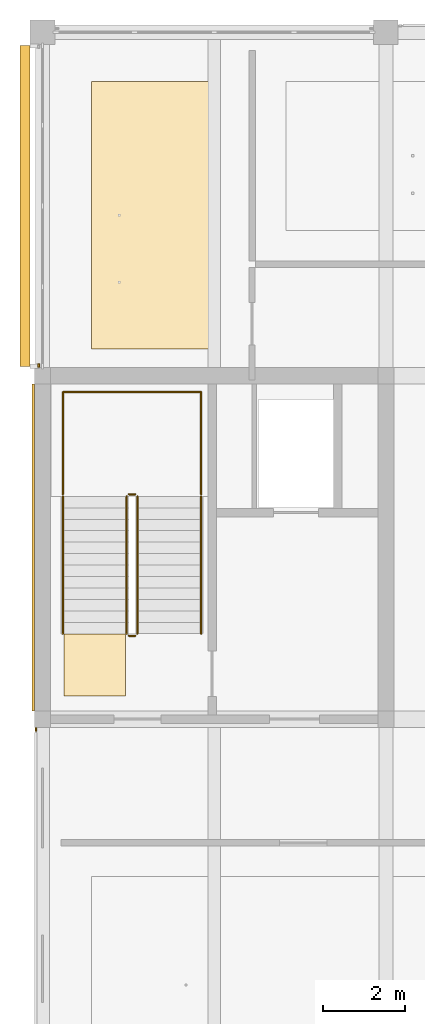
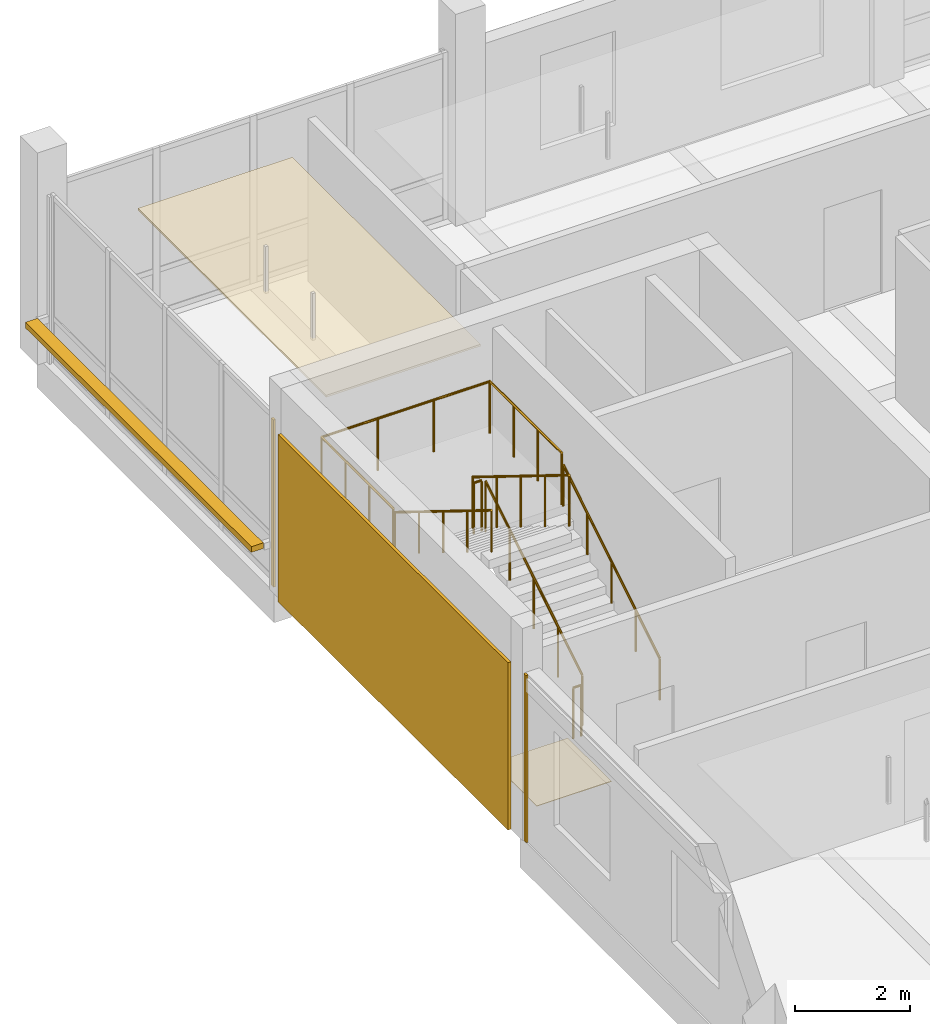
# One storey, part 25 of 30: 7 railings, 5 coverings, 1 shading device.
"""IFC4 building model written with IfcOpenShell, lengths in metres."""

from ifc_helpers import new_model, si_unit, direction, frame, origin, origin_2d, place, context, subcontext, project, spatial, polyline, rectangle, circle, outline, extrude, material, layer, layer_set, type_object, element, save


model = new_model("IFC4")

# Units and contexts
model_context = context("Model", 3, precision=1e-05, world=origin(), true_north=direction((0.0, 1.0)))
body_context = subcontext(model_context, "Body", "Model", "MODEL_VIEW")
ifc_project = project(units=[si_unit("LENGTHUNIT", "METRE"), si_unit("AREAUNIT", "SQUARE_METRE"), si_unit("VOLUMEUNIT", "CUBIC_METRE"), si_unit("PLANEANGLEUNIT", "RADIAN"), si_unit("MASSUNIT", "GRAM", prefix="KILO")], contexts=[model_context])

# Site, building, storey
site_placement = place(None, origin())
site = spatial("IfcSite", under=ifc_project, at=site_placement, CompositionType="ELEMENT")
building_placement = place(site_placement, origin())
building = spatial("IfcBuilding", under=site, at=building_placement, Name="Telukmera Botanical Conservatory", CompositionType="ELEMENT")
storey_placement = place(building_placement, frame((0.0, 0.0, 60.0)))
storey = spatial("IfcBuildingStorey", under=building, at=storey_placement, Name="L13", CompositionType="ELEMENT", Elevation=60.0)

# Coverings
ifc_material_1 = material(Name="Perforated gypsum acoustic ceiling")
ifc_layer_1 = layer(ifc_material_1, 0.0400390625)
ifc_layer_set_1 = layer_set([ifc_layer_1], Name="Perforated gypsum acoustic ceiling")
covering_type_1 = type_object("IfcCoveringType", Name="COV-CEIL-40", PredefinedType="CEILING", material=ifc_layer_set_1)
covering_1_placement = place(storey_placement, frame((0.0, 0.0, 3.31005859375)))
element("IfcCovering", 1, at=covering_1_placement, inside=storey, type_object=covering_type_1, Name="L13 Remote Sensing Canopy Studio Suspended Acoustic Ceiling", PredefinedType="CEILING", context=body_context, shape_type="SweptSolid", body=[
    extrude(outline(polyline([(60.0, 35.050048828125), (63.10009765625, 35.050048828125), (63.10009765625, 41.60009765625), (60.0, 41.60009765625), (60.0, 35.050048828125)])), origin(), (0.0, 0.0, 1.0), 0.0400390625),
])
ifc_material_2 = material(Name="Honed granite non-slip flooring", Category="masonry")
ifc_layer_2 = layer(ifc_material_2, 0.011962890625)
ifc_layer_set_2 = layer_set([ifc_layer_2], Name="Honed granite non-slip flooring")
covering_type_2 = type_object("IfcCoveringType", Name="COV-FLR-12", PredefinedType="FLOORING", material=ifc_layer_set_2)
covering_2_placement = place(storey_placement, origin())
element("IfcCovering", 2, at=covering_2_placement, inside=storey, type_object=covering_type_2, Name="L13 ST1 Non-Slip Stair Landing Finish", PredefinedType="FLOORING", context=body_context, shape_type="SweptSolid", body=[
    extrude(outline(polyline([(60.830078125, 26.570068359375), (60.830078125, 28.0849609375), (59.330078125, 28.0849609375), (59.330078125, 26.570068359375), (60.830078125, 26.570068359375)])), origin(), (0.0, 0.0, 1.0), 0.011962890625),
])
ifc_material_3 = material(Name="Granite-faced precast concrete C40/50", Category="masonry")
ifc_layer_3 = layer(ifc_material_3, 0.0400390625)
ifc_layer_set_3 = layer_set([ifc_layer_3], Name="Granite-faced precast concrete C40/50")
covering_type_3 = type_object("IfcCoveringType", Name="Granite Precast Column Pier Reveal Casing", PredefinedType="CLADDING", material=ifc_layer_set_3)
for number, where, z_axis, x_axis, name in (
    (3, (58.639892578125, 25.748046875, 0.0), (0.0, 0.0, 1.0), (0.0, 1.0, 0.0), "Granite Pier Reveal V4:L13:W2 R"),
    (4, (58.7099609375, 34.652099609375, 0.0), (0.0, 0.0, 1.0), (0.0, 1.0, 0.0), "Granite Pier Reveal V4:L13:W4 L"),
):
    element("IfcCovering", number, at=place(storey_placement, frame(where, z_axis=z_axis, x_axis=x_axis)), inside=storey, type_object=covering_type_3, Name=name, PredefinedType="CLADDING", context=body_context, shape_type="SweptSolid", body=[
        extrude(rectangle(XDim=0.080078125, YDim=0.0400390625, at=origin_2d()), origin(), (0.0, 0.0, 1.0), 3.550048828125),
    ])

# Shading device
ifc_material_4 = material(Name="Perforated terracotta-anodised aluminium 6063-T6", Category="masonry")
ifc_layer_4 = layer(ifc_material_4, 0.044921875)
ifc_layer_set_4 = layer_set([ifc_layer_4], Name="Perforated terracotta-anodised aluminium 6063-T6")
shading_device_type = type_object("IfcShadingDeviceType", Name="Perforated Terracotta Aluminium Monsoon Brise Soleil", PredefinedType="JALOUSIE", material=ifc_layer_set_4)
shading_device_placement = place(storey_placement, frame((58.3701171875, 38.550048828125, 0.889892578125), z_axis=(0.0, 0.0, 1.0), x_axis=(0.0, 1.0, 0.0)))
element("IfcShadingDevice", 5, at=shading_device_placement, inside=storey, type_object=shading_device_type, Name="Monsoon Shading BS01 V4:L13:W4", PredefinedType="JALOUSIE", context=body_context, shape_type="SweptSolid", body=[
    extrude(rectangle(XDim=7.85595703125, YDim=0.239990234375, at=origin_2d()), origin(), (0.0, 0.0, 1.0), 0.1201171875),
])

# Railings
ifc_material_5 = material(Name="Steel S355", Category="steel")
railing_type_1 = type_object("IfcRailingType", Name="RL-GUARD-1100", PredefinedType="GUARDRAIL", material=ifc_material_5)
railing_1_placement = place(storey_placement, frame((61.1201171875, 28.090087890625, 0.173095703125)))
element("IfcRailing", 6, at=railing_1_placement, inside=storey, type_object=railing_type_1, Name="L13 ST1 stair guard 1", PredefinedType="GUARDRAIL", context=body_context, shape_type="SweptSolid", body=[
    extrude(circle(Radius=0.02392578125, at=origin_2d()), frame((0.0, 0.0, 1.076171875), z_axis=(0.0, 0.850606129759, 0.525803396734), x_axis=(-1.0, 0.0, 0.0)), (0.0, 0.0, 1.0), 3.949951171875),
    extrude(circle(Radius=0.02099609375, at=origin_2d()), origin(), (0.0, 0.0, 1.0), 1.052001953125),
    extrude(circle(Radius=0.02099609375, at=origin_2d()), frame((0.0, 0.83984375, 0.519287109375)), (0.0, 0.0, 1.0), 1.052001953125),
    extrude(circle(Radius=0.02099609375, at=origin_2d()), frame((0.0, 1.679931640625, 1.03857421875)), (0.0, 0.0, 1.0), 1.052001953125),
    extrude(circle(Radius=0.02099609375, at=origin_2d()), frame((0.0, 2.52001953125, 1.5576171875)), (0.0, 0.0, 1.0), 1.052001953125),
    extrude(circle(Radius=0.02099609375, at=origin_2d()), frame((0.0, 3.35986328125, 2.076904296875)), (0.0, 0.0, 1.0), 1.052001953125),
])
railing_2_placement = place(storey_placement, frame((61.070068359375, 31.5, 2.25)))
element("IfcRailing", 7, at=railing_2_placement, inside=storey, type_object=railing_type_1, Name="L13 ST1 stair guard 2", PredefinedType="GUARDRAIL", context=body_context, shape_type="SweptSolid", body=[
    extrude(circle(Radius=0.02392578125, at=origin_2d()), frame((0.0, 0.0, 1.076171875), z_axis=(-1.0, 0.0, 0.0), x_axis=(0.0, -1.0, 0.0)), (0.0, 0.0, 1.0), 0.16015625),
    extrude(circle(Radius=0.02099609375, at=origin_2d()), origin(), (0.0, 0.0, 1.0), 1.052001953125),
    extrude(circle(Radius=0.02099609375, at=origin_2d()), frame((-0.16015625, 0.0, 0.0)), (0.0, 0.0, 1.0), 1.052001953125),
])
railing_3_placement = place(storey_placement, frame((60.860107421875, 31.449951171875, 2.423095703125)))
element("IfcRailing", 8, at=railing_3_placement, inside=storey, type_object=railing_type_1, Name="L13 ST1 stair guard 3", PredefinedType="GUARDRAIL", context=body_context, shape_type="SweptSolid", body=[
    extrude(circle(Radius=0.02392578125, at=origin_2d()), frame((0.0, 0.0, 1.076171875), z_axis=(0.0, -0.850606129759, 0.525803396734), x_axis=(1.0, 0.0, 0.0)), (0.0, 0.0, 1.0), 3.949951171875),
    extrude(circle(Radius=0.02099609375, at=origin_2d()), origin(), (0.0, 0.0, 1.0), 1.052001953125),
    extrude(circle(Radius=0.02099609375, at=origin_2d()), frame((0.0, -0.83984375, 0.519287109375)), (0.0, 0.0, 1.0), 1.052001953125),
    extrude(circle(Radius=0.02099609375, at=origin_2d()), frame((0.0, -1.679931640625, 1.03857421875)), (0.0, 0.0, 1.0), 1.052001953125),
    extrude(circle(Radius=0.02099609375, at=origin_2d()), frame((0.0, -2.52001953125, 1.5576171875)), (0.0, 0.0, 1.0), 1.052001953125),
    extrude(circle(Radius=0.02099609375, at=origin_2d()), frame((0.0, -3.35986328125, 2.076904296875)), (0.0, 0.0, 1.0), 1.052001953125),
])
railing_4_placement = place(storey_placement, frame((61.070068359375, 28.0400390625, 0.0)))
element("IfcRailing", 9, at=railing_4_placement, inside=storey, type_object=railing_type_1, Name="L13 ST1 stair guard 4", PredefinedType="GUARDRAIL", context=body_context, shape_type="SweptSolid", body=[
    extrude(circle(Radius=0.02392578125, at=origin_2d()), frame((0.0, 0.0, 1.076171875), z_axis=(-1.0, 0.0, 0.0), x_axis=(0.0, -1.0, 0.0)), (0.0, 0.0, 1.0), 0.16015625),
    extrude(circle(Radius=0.02099609375, at=origin_2d()), origin(), (0.0, 0.0, 1.0), 1.052001953125),
    extrude(circle(Radius=0.02099609375, at=origin_2d()), frame((-0.16015625, 0.0, 0.0)), (0.0, 0.0, 1.0), 1.052001953125),
])
railing_5_placement = place(storey_placement, frame((62.679931640625, 31.5, 2.25)))
element("IfcRailing", 10, at=railing_5_placement, inside=storey, type_object=railing_type_1, Name="L13 ST1 half-landing perimeter guard 1", PredefinedType="GUARDRAIL", context=body_context, shape_type="SweptSolid", body=[
    extrude(circle(Radius=0.02392578125, at=origin_2d()), frame((0.0, 0.0, 1.09619140625), z_axis=(0.0, 1.0, 0.0), x_axis=(-1.0, 0.0, 0.0)), (0.0, 0.0, 1.0), 2.5),
    extrude(circle(Radius=0.02392578125, at=origin_2d()), frame((0.0, 2.5, 1.09619140625), z_axis=(-1.0, 0.0, 0.0), x_axis=(0.0, -1.0, 0.0)), (0.0, 0.0, 1.0), 3.3798828125),
    extrude(circle(Radius=0.02392578125, at=origin_2d()), frame((-3.3798828125, 2.5, 1.09619140625), z_axis=(0.0, -1.0, 0.0), x_axis=(1.0, 0.0, 0.0)), (0.0, 0.0, 1.0), 2.5),
    extrude(circle(Radius=0.02099609375, at=origin_2d()), origin(), (0.0, 0.0, 1.0), 1.072021484375),
    extrude(circle(Radius=0.02099609375, at=origin_2d()), frame((0.0, 0.833251953125, 0.0)), (0.0, 0.0, 1.0), 1.072021484375),
    extrude(circle(Radius=0.02099609375, at=origin_2d()), frame((0.0, 1.666748046875, 0.0)), (0.0, 0.0, 1.0), 1.072021484375),
    extrude(circle(Radius=0.02099609375, at=origin_2d()), frame((0.0, 2.5, 0.0)), (0.0, 0.0, 1.0), 1.072021484375),
    extrude(circle(Radius=0.02099609375, at=origin_2d()), frame((-1.126708984375, 2.5, 0.0)), (0.0, 0.0, 1.0), 1.072021484375),
    extrude(circle(Radius=0.02099609375, at=origin_2d()), frame((-2.253173828125, 2.5, 0.0)), (0.0, 0.0, 1.0), 1.072021484375),
    extrude(circle(Radius=0.02099609375, at=origin_2d()), frame((-3.3798828125, 2.5, 0.0)), (0.0, 0.0, 1.0), 1.072021484375),
    extrude(circle(Radius=0.02099609375, at=origin_2d()), frame((-3.3798828125, 1.666748046875, 0.0)), (0.0, 0.0, 1.0), 1.072021484375),
    extrude(circle(Radius=0.02099609375, at=origin_2d()), frame((-3.3798828125, 0.833251953125, 0.0)), (0.0, 0.0, 1.0), 1.072021484375),
    extrude(circle(Radius=0.02099609375, at=origin_2d()), frame((-3.3798828125, 0.0, 0.0)), (0.0, 0.0, 1.0), 1.072021484375),
])
ifc_material_6 = material(Name="Stainless steel 316", Category="steel")
railing_type_2 = type_object("IfcRailingType", Name="RL-HAND-900", PredefinedType="HANDRAIL", material=ifc_material_6)
railing_6_placement = place(storey_placement, frame((62.679931640625, 28.090087890625, 0.173095703125)))
element("IfcRailing", 11, at=railing_6_placement, inside=storey, type_object=railing_type_2, Name="L13 ST1 stair handrail 1", PredefinedType="HANDRAIL", context=body_context, shape_type="SweptSolid", body=[
    extrude(circle(Radius=0.02392578125, at=origin_2d()), frame((0.0, 0.0, 0.8759765625), z_axis=(0.0, 0.850606129759, 0.525803396734), x_axis=(-1.0, 0.0, 0.0)), (0.0, 0.0, 1.0), 3.949951171875),
    extrude(circle(Radius=0.02099609375, at=origin_2d()), origin(), (0.0, 0.0, 1.0), 0.851806640625),
    extrude(circle(Radius=0.02099609375, at=origin_2d()), frame((0.0, 0.83984375, 0.519287109375)), (0.0, 0.0, 1.0), 0.851806640625),
    extrude(circle(Radius=0.02099609375, at=origin_2d()), frame((0.0, 1.679931640625, 1.03857421875)), (0.0, 0.0, 1.0), 0.851806640625),
    extrude(circle(Radius=0.02099609375, at=origin_2d()), frame((0.0, 2.52001953125, 1.5576171875)), (0.0, 0.0, 1.0), 0.851806640625),
    extrude(circle(Radius=0.02099609375, at=origin_2d()), frame((0.0, 3.35986328125, 2.076904296875)), (0.0, 0.0, 1.0), 0.851806640625),
])
railing_7_placement = place(storey_placement, frame((59.300048828125, 31.449951171875, 2.423095703125)))
element("IfcRailing", 12, at=railing_7_placement, inside=storey, type_object=railing_type_2, Name="L13 ST1 stair handrail 2", PredefinedType="HANDRAIL", context=body_context, shape_type="SweptSolid", body=[
    extrude(circle(Radius=0.02392578125, at=origin_2d()), frame((0.0, 0.0, 0.8759765625), z_axis=(0.0, -0.850606129759, 0.525803396734), x_axis=(1.0, 0.0, 0.0)), (0.0, 0.0, 1.0), 3.949951171875),
    extrude(circle(Radius=0.02099609375, at=origin_2d()), origin(), (0.0, 0.0, 1.0), 0.851806640625),
    extrude(circle(Radius=0.02099609375, at=origin_2d()), frame((0.0, -0.83984375, 0.519287109375)), (0.0, 0.0, 1.0), 0.851806640625),
    extrude(circle(Radius=0.02099609375, at=origin_2d()), frame((0.0, -1.679931640625, 1.03857421875)), (0.0, 0.0, 1.0), 0.851806640625),
    extrude(circle(Radius=0.02099609375, at=origin_2d()), frame((0.0, -2.52001953125, 1.5576171875)), (0.0, 0.0, 1.0), 0.851806640625),
    extrude(circle(Radius=0.02099609375, at=origin_2d()), frame((0.0, -3.35986328125, 2.076904296875)), (0.0, 0.0, 1.0), 0.851806640625),
])

# Covering
ifc_material_7 = material(Name="Terracotta-faced precast concrete C40/50", Category="masonry")
ifc_layer_5 = layer(ifc_material_7, 0.06005859375)
ifc_layer_set_5 = layer_set([ifc_layer_5], Name="Terracotta-faced precast concrete C40/50")
covering_type_4 = type_object("IfcCoveringType", Name="Terracotta Core Perimeter Cladding Panel", PredefinedType="CLADDING", material=ifc_layer_set_5)
covering_3_placement = place(storey_placement, frame((58.570068359375, 30.199951171875, 0.0), z_axis=(0.0, 0.0, 1.0), x_axis=(0.0, 1.0, 0.0)))
element("IfcCovering", 13, at=covering_3_placement, inside=storey, type_object=covering_type_4, Name="Core Perimeter Terracotta Cladding V4:L13:W3", PredefinedType="CLADDING", context=body_context, shape_type="SweptSolid", body=[
    extrude(rectangle(XDim=7.99609375, YDim=0.06005859375, at=origin_2d()), origin(), (0.0, 0.0, 1.0), 3.550048828125),
])

save(model, "model.ifc")
